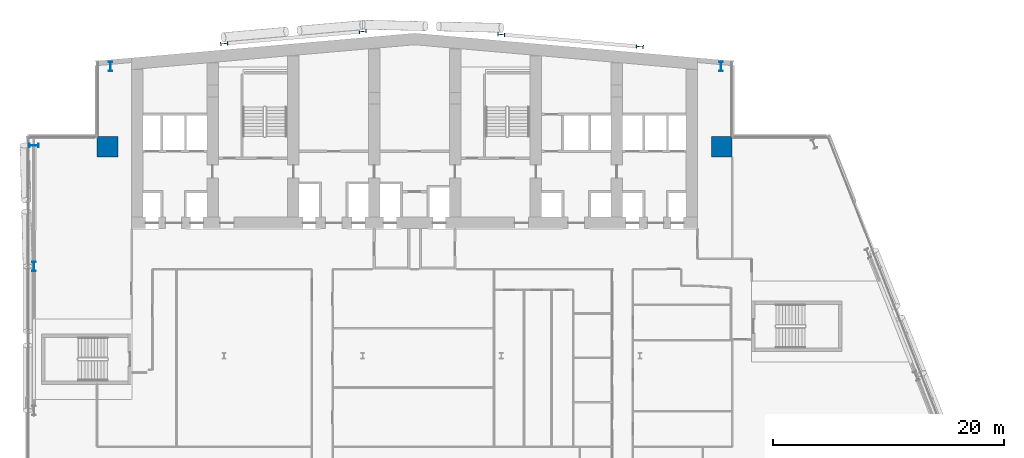
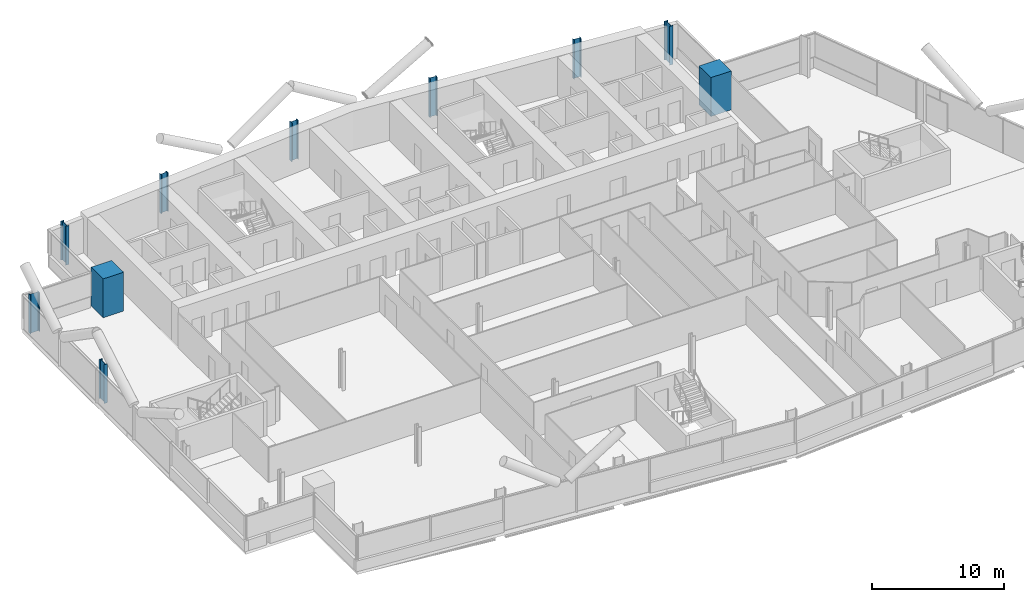
# One storey, part 3 of 27: 10 columns.
"""IFC4 building model written with IfcOpenShell, lengths in metres."""

from ifc_helpers import new_model, si_unit, direction, frame, origin, origin_2d, place, context, subcontext, project, spatial, rectangle, i_section, extrude, material, material_profile, profile_set, type_object, element, save


model = new_model("IFC4")

# Units and contexts
model_context = context("Model", 3, precision=1e-05, world=origin(), true_north=direction((0.0, 1.0)))
body_context = subcontext(model_context, "Body", "Model", "MODEL_VIEW")
ifc_project = project(units=[si_unit("LENGTHUNIT", "METRE"), si_unit("AREAUNIT", "SQUARE_METRE"), si_unit("VOLUMEUNIT", "CUBIC_METRE"), si_unit("PLANEANGLEUNIT", "RADIAN"), si_unit("MASSUNIT", "GRAM", prefix="KILO")], contexts=[model_context])

# Site, building, storey
site_placement = place(None, origin())
site = spatial("IfcSite", under=ifc_project, at=site_placement, CompositionType="ELEMENT")
building_placement = place(site_placement, origin())
building = spatial("IfcBuilding", under=site, at=building_placement, Name="Wharfspan Tower", CompositionType="ELEMENT")
storey_placement = place(building_placement, frame((0.0, 0.0, 111.100098)))
storey = spatial("IfcBuildingStorey", under=building, at=storey_placement, Name="L25", CompositionType="ELEMENT", Elevation=111.100098)

# Columns
ifc_material_1 = material(Name="Steel S355J2", Category="steel")
ifc_material_profile_1 = material_profile(ifc_material_1, i_section(OverallWidth=0.304932, OverallDepth=0.620117, WebThickness=0.020996, FlangeThickness=0.040039, FilletRadius=0.0271, at=origin_2d()))
ifc_profile_set_1 = profile_set([ifc_material_profile_1], Name="Steel S355J2")
column_type_1 = type_object("IfcColumnType", Name="Column HEM 600", PredefinedType="COLUMN", material=ifc_profile_set_1)
for number, where, z_axis, x_axis, name in (
    (1, (24.0, 50.027344, 0.0), (0.0, 0.0, 1.0), (-0.087156, 0.996198, 0.0), "Rear column R.1 L25"),
    (2, (36.0, 51.077148, 0.0), (0.0, 0.0, 1.0), (-0.087156, 0.996198, 0.0), "Rear column R.2 L25"),
    (3, (48.0, 50.814697, 0.0), (0.0, 0.0, 1.0), (0.087156, 0.996198, 0.0), "Rear column R.3 L25"),
    (4, (60.0, 49.764893, 0.0), (0.0, 0.0, 1.0), (0.087156, 0.996198, 0.0), "Rear column R.4 L25"),
):
    element("IfcColumn", number, at=place(storey_placement, frame(where, z_axis=z_axis, x_axis=x_axis)), inside=storey, type_object=column_type_1, Name=name, PredefinedType="COLUMN", context=body_context, shape_type="SweptSolid", body=[
        extrude(i_section(OverallWidth=0.304932, OverallDepth=0.620117, WebThickness=0.020996, FlangeThickness=0.040039, FilletRadius=0.0271, at=origin_2d()), origin(), (0.0, 0.0, 1.0), 3.599854),
    ])
ifc_material_profile_2 = material_profile(ifc_material_1, i_section(OverallWidth=0.302979, OverallDepth=0.813965, WebThickness=0.020996, FlangeThickness=0.040039, FilletRadius=0.030029, at=origin_2d()))
ifc_profile_set_2 = profile_set([ifc_material_profile_2], Name="Steel S355J2")
column_type_2 = type_object("IfcColumnType", Name="Column HEM 800", PredefinedType="COLUMN", material=ifc_profile_set_2)
for number, where, z_axis, x_axis, name in (
    (5, (67.031982, 48.035645, 0.0), (0.0, 0.0, 1.0), (1.0, 0.0, 0.0), "Perimeter column PNRE-V.1 L25"),
    (6, (14.171631, 48.03418, 0.0), (0.0, 0.0, 1.0), (-1.0, 0.0, 0.0), "Perimeter column PNRW-V.1 L25"),
    (7, (7.544434, 41.208008, 0.0), (0.0, 0.0, 1.0), (0.0, 1.0, 0.0), "Perimeter column PNRW-H.1 L25"),
    (8, (7.540039, 30.733398, 0.0), (0.0, 0.0, 1.0), (-1.0, 0.0, 0.0), "Perimeter column PW.1 L25"),
):
    element("IfcColumn", number, at=place(storey_placement, frame(where, z_axis=z_axis, x_axis=x_axis)), inside=storey, type_object=column_type_2, Name=name, PredefinedType="COLUMN", context=body_context, shape_type="SweptSolid", body=[
        extrude(i_section(OverallWidth=0.302979, OverallDepth=0.813965, WebThickness=0.020996, FlangeThickness=0.040039, FilletRadius=0.030029, at=origin_2d()), origin(), (0.0, 0.0, 1.0), 3.599854),
    ])
ifc_material_2 = material(Name="Concrete C70/85", Category="concrete")
ifc_material_profile_3 = material_profile(ifc_material_2, rectangle(XDim=1.800049, YDim=1.800049, at=origin_2d()))
ifc_profile_set_3 = profile_set([ifc_material_profile_3], Name="Concrete C70/85")
column_type_3 = type_object("IfcColumnType", Name="Mega column 1800 C70/85", PredefinedType="COLUMN", material=ifc_profile_set_3)
for number, where, z_axis, x_axis, name in (
    (9, (13.899902, 41.100098, 0.0), (0.0, 0.0, 1.0), (1.0, 0.0, 0.0), "Mega column MC2 L25"),
    (10, (67.100098, 41.100098, 0.0), (0.0, 0.0, 1.0), (1.0, 0.0, 0.0), "Mega column MC3 L25"),
):
    element("IfcColumn", number, at=place(storey_placement, frame(where, z_axis=z_axis, x_axis=x_axis)), inside=storey, type_object=column_type_3, Name=name, PredefinedType="COLUMN", context=body_context, shape_type="SweptSolid", body=[
        extrude(rectangle(XDim=1.800049, YDim=1.800049, at=origin_2d()), origin(), (0.0, 0.0, 1.0), 3.599854),
    ])

save(model, "model.ifc")
